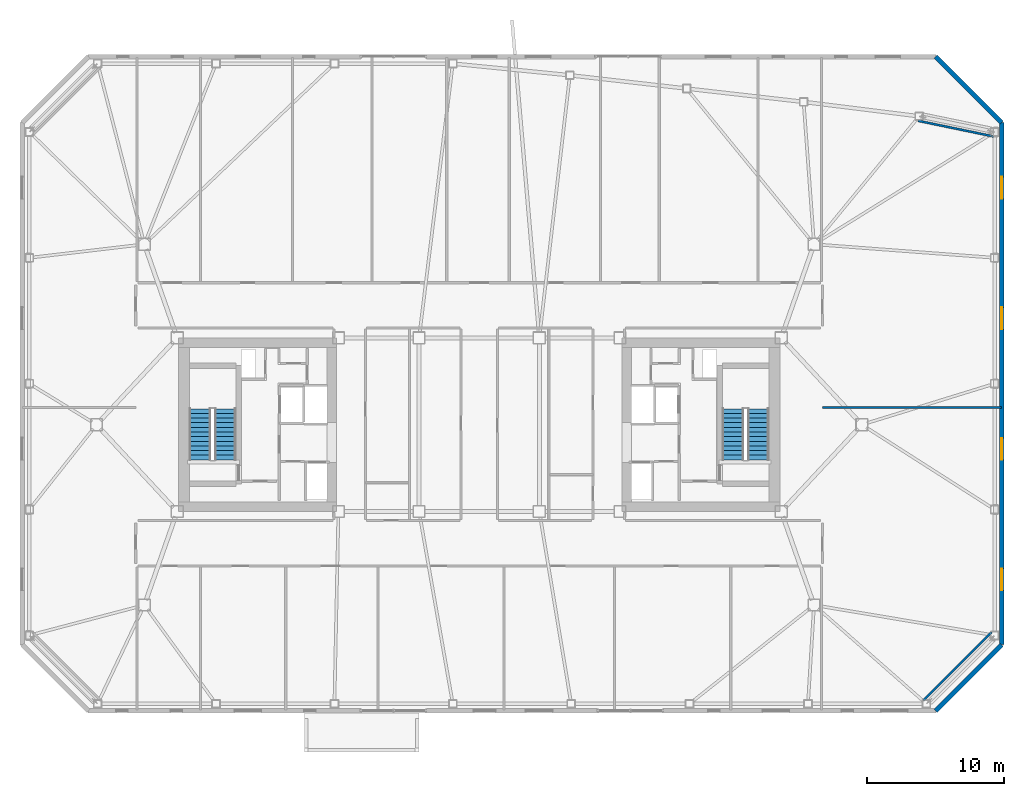
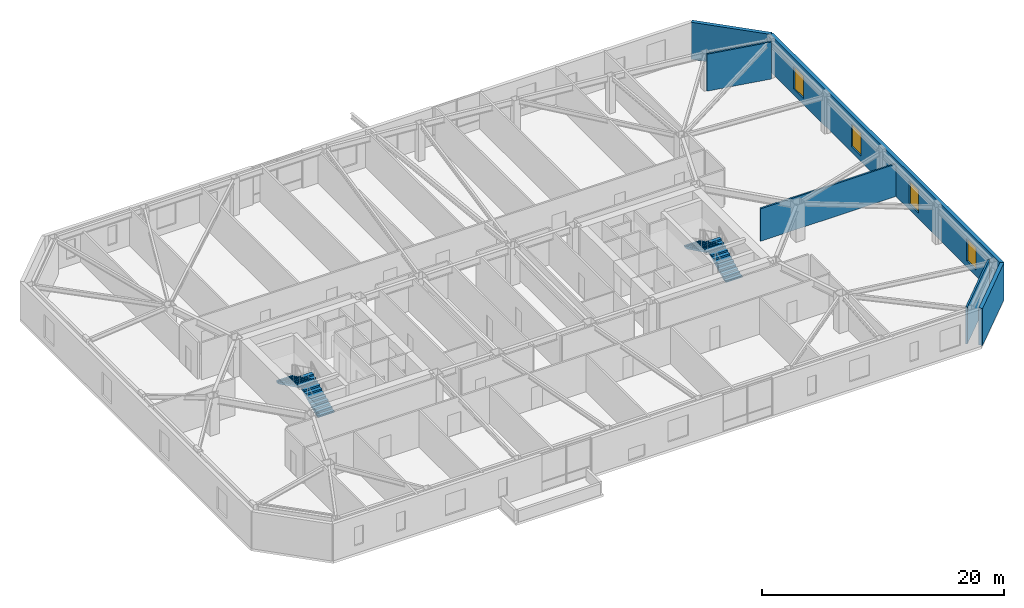
# One storey, part 14 of 18: 6 walls, 4 stair flights, 4 windows, 4 openings, 2 elements without a shape of their own.
"""IFC4 building model written with IfcOpenShell, lengths in metres."""

from ifc_helpers import new_model, si_unit, direction, frame, frame_2d, origin, place, context, subcontext, project, spatial, polyline, rectangle, outline, extrude, material, layer, layer_set, type_object, element, fill, aggregate, save


model = new_model("IFC4")

# Units and contexts
model_context = context("Model", 3, precision=1e-05, world=origin(), true_north=direction((0.0, 1.0)))
body_context = subcontext(model_context, "Body", "Model", "MODEL_VIEW")
ifc_project = project(units=[si_unit("LENGTHUNIT", "METRE"), si_unit("AREAUNIT", "SQUARE_METRE"), si_unit("VOLUMEUNIT", "CUBIC_METRE"), si_unit("PLANEANGLEUNIT", "RADIAN"), si_unit("MASSUNIT", "GRAM", prefix="KILO")], contexts=[model_context])

# Site, building, storey
site_placement = place(None, origin())
site = spatial("IfcSite", under=ifc_project, at=site_placement, CompositionType="ELEMENT")
building_placement = place(site_placement, origin())
building = spatial("IfcBuilding", under=site, at=building_placement, Name="Tavrogorsk Clinical Tower", CompositionType="ELEMENT")
storey_placement = place(building_placement, frame((0.0, 0.0, 168.199951171875)))
storey = spatial("IfcBuildingStorey", under=building, at=storey_placement, Name="L38", CompositionType="ELEMENT", Elevation=168.199951171875)

# Walls
ifc_material_1 = material(Name="Lightweight concrete blockwork B15", Category="masonry")
ifc_layer_1 = layer(ifc_material_1, 0.159912109375)
ifc_layer_set_1 = layer_set([ifc_layer_1], Name="Lightweight concrete blockwork B15")
wall_type_1 = type_object("IfcWallType", Name="PartitionWall_160", PredefinedType="PARTITIONING", material=ifc_layer_set_1)
wall_1_placement = place(storey_placement, frame((32.4794921875, -20.1796875, 0.0), z_axis=(0.0, 0.0, 1.0), x_axis=(0.707106781187, 0.707106781187, 0.0)))
element("IfcWall", 1, at=wall_1_placement, inside=storey, type_object=wall_type_1, Name="L38 Corner Exoskeleton Brace Furring Wall 1", PredefinedType="PARTITIONING", context=body_context, shape_type="SweptSolid", body=[
    extrude(rectangle(XDim=7.071044921875, YDim=0.159912109375, at=frame_2d((3.53564453125, 0.0))), origin(), (0.0, 0.0, 1.0), 3.739990234375),
])
wall_2_placement = place(storey_placement, frame((37.65087890625, 21.0869140625, 0.0), z_axis=(0.0, 0.0, 1.0), x_axis=(-0.979184618318, 0.202971631636, 0.0)))
element("IfcWall", 2, at=wall_2_placement, inside=storey, type_object=wall_type_1, Name="L38 Corner Exoskeleton Brace Furring Wall 2", PredefinedType="PARTITIONING", context=body_context, shape_type="SweptSolid", body=[
    extrude(rectangle(XDim=5.64599609375, YDim=0.159912109375, at=frame_2d((2.822998046875, 0.0))), origin(), (0.0, 0.0, 1.0), 3.739990234375),
])
wall_3_placement = place(storey_placement, frame((25.1298828125, 1.25, 0.0), z_axis=(0.0, 0.0, 1.0), x_axis=(1.0, 0.0, 0.0)))
element("IfcWall", 3, at=wall_3_placement, inside=storey, type_object=wall_type_1, Name="L38 E Wing Divider 1", PredefinedType="PARTITIONING", context=body_context, shape_type="SweptSolid", body=[
    extrude(rectangle(XDim=13.080078125, YDim=0.159912109375, at=frame_2d((6.5400390625, 0.0))), origin(), (0.0, 0.0, 1.0), 3.28515625),
])

# Wall, openings, windows
ifc_material_2 = material(Name="Precast concrete B45 with limestone cladding", Category="masonry")
ifc_layer_2 = layer(ifc_material_2, 0.340087890625)
ifc_layer_set_2 = layer_set([ifc_layer_2], Name="Precast concrete B45 with limestone cladding")
wall_type_2 = type_object("IfcWallType", Name="PrecastLimestoneWall_340", PredefinedType="STANDARD", material=ifc_layer_set_2)
wall_4_placement = place(storey_placement, frame((38.22998046875, -16.10009765625, 0.0), z_axis=(0.0, 0.0, 1.0), x_axis=(0.0, 1.0, 0.0)))
wall_4 = element("IfcWall", 4, at=wall_4_placement, inside=storey, type_object=wall_type_2, Name="L38 E Pleated Limestone Wing Wall", PredefinedType="STANDARD", context=body_context, shape_type="SweptSolid", body=[
    extrude(rectangle(XDim=38.2001953125, YDim=0.340087890625, at=frame_2d((19.10009765625, 0.0))), origin(), (0.0, 0.0, 1.0), 3.739990234375),
])
opening_1_placement = place(wall_4_placement, frame((3.97509765625, 0.0, 0.580078125)))
opening_1 = element("IfcOpeningElement", 5, at=opening_1_placement, cuts=wall_4, Name="Opening WN-07", PredefinedType="OPENING", context=body_context, shape_type="SweptSolid", body=[
    extrude(rectangle(XDim=1.60009765625, YDim=2.300048828125, at=frame_2d((0.800048828125, 1.14990234375))), frame((0.0, 0.179931640625, 0.0), z_axis=(0.0, -1.0, 0.0), x_axis=(1.0, 0.0, 0.0)), (0.0, 0.0, 1.0), 0.360107421875),
])
opening_2_placement = place(wall_4_placement, frame((13.52490234375, 0.0, 0.580078125)))
opening_2 = element("IfcOpeningElement", 6, at=opening_2_placement, cuts=wall_4, Name="Opening WN-07", PredefinedType="OPENING", context=body_context, shape_type="SweptSolid", body=[
    extrude(rectangle(XDim=1.60009765625, YDim=2.300048828125, at=frame_2d((0.800048828125, 1.14990234375))), frame((0.0, 0.179931640625, 0.0), z_axis=(0.0, -1.0, 0.0), x_axis=(1.0, 0.0, 0.0)), (0.0, 0.0, 1.0), 0.360107421875),
])
opening_3_placement = place(wall_4_placement, frame((23.074951171875, 0.0, 0.580078125)))
opening_3 = element("IfcOpeningElement", 7, at=opening_3_placement, cuts=wall_4, Name="Opening WN-07", PredefinedType="OPENING", context=body_context, shape_type="SweptSolid", body=[
    extrude(rectangle(XDim=1.60009765625, YDim=2.300048828125, at=frame_2d((0.800048828125, 1.14990234375))), frame((0.0, 0.179931640625, 0.0), z_axis=(0.0, -1.0, 0.0), x_axis=(1.0, 0.0, 0.0)), (0.0, 0.0, 1.0), 0.360107421875),
])
opening_4_placement = place(wall_4_placement, frame((32.625, 0.0, 0.580078125)))
opening_4 = element("IfcOpeningElement", 8, at=opening_4_placement, cuts=wall_4, Name="Opening WN-07", PredefinedType="OPENING", context=body_context, shape_type="SweptSolid", body=[
    extrude(rectangle(XDim=1.60009765625, YDim=2.300048828125, at=frame_2d((0.800048828125, 1.14990234375))), frame((0.0, 0.179931640625, 0.0), z_axis=(0.0, -1.0, 0.0), x_axis=(1.0, 0.0, 0.0)), (0.0, 0.0, 1.0), 0.360107421875),
])
ifc_material_3 = material(Name="Thermally broken aluminium frame and triple IGU", Category="aluminium")
window_type = type_object("IfcWindowType", Name="PleatSlotWin_1600x2300", PartitioningType="SINGLE_PANEL", PredefinedType="WINDOW", material=ifc_material_3)
window_1_placement = place(opening_1_placement, origin())
window_1 = element("IfcWindow", 9, at=window_1_placement, inside=storey, type_object=window_type, Name="L38 E Pleat Slot Window 1", OverallHeight=2.300048828125, OverallWidth=1.60009765625, PartitioningType="SINGLE_PANEL", PredefinedType="WINDOW", context=body_context, shape_type="SweptSolid", body=[
    extrude(rectangle(XDim=1.60009765625, YDim=2.300048828125, at=frame_2d((0.800048828125, 1.14990234375))), frame((0.0, 0.030029296875, 0.0), z_axis=(0.0, -1.0, 0.0), x_axis=(1.0, 0.0, 0.0)), (0.0, 0.0, 1.0), 0.06005859375),
])
fill(opening_1, window_1)
window_2_placement = place(opening_2_placement, origin())
window_2 = element("IfcWindow", 10, at=window_2_placement, inside=storey, type_object=window_type, Name="L38 E Pleat Slot Window 2", OverallHeight=2.300048828125, OverallWidth=1.60009765625, PartitioningType="SINGLE_PANEL", PredefinedType="WINDOW", context=body_context, shape_type="SweptSolid", body=[
    extrude(rectangle(XDim=1.60009765625, YDim=2.300048828125, at=frame_2d((0.800048828125, 1.14990234375))), frame((0.0, 0.030029296875, 0.0), z_axis=(0.0, -1.0, 0.0), x_axis=(1.0, 0.0, 0.0)), (0.0, 0.0, 1.0), 0.06005859375),
])
fill(opening_2, window_2)
window_3_placement = place(opening_3_placement, origin())
window_3 = element("IfcWindow", 11, at=window_3_placement, inside=storey, type_object=window_type, Name="L38 E Pleat Slot Window 3", OverallHeight=2.300048828125, OverallWidth=1.60009765625, PartitioningType="SINGLE_PANEL", PredefinedType="WINDOW", context=body_context, shape_type="SweptSolid", body=[
    extrude(rectangle(XDim=1.60009765625, YDim=2.300048828125, at=frame_2d((0.800048828125, 1.14990234375))), frame((0.0, 0.030029296875, 0.0), z_axis=(0.0, -1.0, 0.0), x_axis=(1.0, 0.0, 0.0)), (0.0, 0.0, 1.0), 0.06005859375),
])
fill(opening_3, window_3)
window_4_placement = place(opening_4_placement, origin())
window_4 = element("IfcWindow", 12, at=window_4_placement, inside=storey, type_object=window_type, Name="L38 E Pleat Slot Window 4", OverallHeight=2.300048828125, OverallWidth=1.60009765625, PartitioningType="SINGLE_PANEL", PredefinedType="WINDOW", context=body_context, shape_type="SweptSolid", body=[
    extrude(rectangle(XDim=1.60009765625, YDim=2.300048828125, at=frame_2d((0.800048828125, 1.14990234375))), frame((0.0, 0.030029296875, 0.0), z_axis=(0.0, -1.0, 0.0), x_axis=(1.0, 0.0, 0.0)), (0.0, 0.0, 1.0), 0.06005859375),
])
fill(opening_4, window_4)

# Walls
for number, where, z_axis, x_axis, name in (
    (13, (33.39990234375, -20.929931640625, 0.0), (0.0, 0.0, 1.0), (0.707124652085, 0.707088909836, 0.0), "L38 Chamfered Corner Wall 1"),
    (14, (38.22998046875, 22.10009765625, 0.0), (0.0, 0.0, 1.0), (-0.707124652085, 0.707088909836, 0.0), "L38 Chamfered Corner Wall 2"),
):
    element("IfcWall", number, at=place(storey_placement, frame(where, z_axis=z_axis, x_axis=x_axis)), inside=storey, type_object=wall_type_2, Name=name, PredefinedType="STANDARD", context=body_context, shape_type="SweptSolid", body=[
        extrude(rectangle(XDim=6.83056640625, YDim=0.340087890625, at=frame_2d((3.415283203125, 0.0))), origin(), (0.0, 0.0, 1.0), 3.739990234375),
    ])

# Stair, stair flights
ifc_material_4 = material(Name="Concrete B60", Category="concrete")
stair_type = type_object("IfcStairType", Name="CoreStairAssembly", PredefinedType="HALF_TURN_STAIR", material=ifc_material_4)
stair_1_placement = place(storey_placement, origin())
stair_1 = element("IfcStair", 15, at=stair_1_placement, inside=storey, type_object=stair_type, Name="L38 ST-W", PredefinedType="HALF_TURN_STAIR")
ifc_material_5 = material(Name="Concrete B60", Category="concrete")
stair_flight_type = type_object("IfcStairFlightType", Name="CoreStairFlight", PredefinedType="STRAIGHT", material=ifc_material_5)
stair_flight_1_placement = place(storey_placement, frame((-18.574951171875, -2.574951171875, 0.0), z_axis=(0.0, 0.0, 1.0), x_axis=(0.0, 1.0, 0.0)))
stair_flight_1 = element("IfcStairFlight", 16, at=stair_flight_1_placement, type_object=stair_flight_type, Name="ST-W flight 1", NumberOfRisers=12, NumberOfTreads=11, PredefinedType="STRAIGHT", RiserHeight=0.166666667, TreadLength=0.34, context=body_context, shape_type="SweptSolid", body=[
    extrude(outline(polyline([(0.0, 0.0), (0.0, 0.166748046875), (0.340087890625, 0.166748046875), (0.340087890625, 0.333251953125), (0.679931640625, 0.333251953125), (0.679931640625, 0.5), (1.02001953125, 0.5), (1.02001953125, 0.666748046875), (1.360107421875, 0.666748046875), (1.360107421875, 0.833251953125), (1.699951171875, 0.833251953125), (1.699951171875, 1.0), (2.0400390625, 1.0), (2.0400390625, 1.166748046875), (2.3798828125, 1.166748046875), (2.3798828125, 1.333251953125), (2.719970703125, 1.333251953125), (2.719970703125, 1.5), (3.06005859375, 1.5), (3.06005859375, 1.666748046875), (3.39990234375, 1.666748046875), (3.39990234375, 1.833251953125), (3.739990234375, 1.833251953125), (3.739990234375, 2.0), (3.739990234375, 1.66650390625), (0.340576171875, 0.0), (0.0, 0.0)])), frame((0.0, 0.77490234375, 0.0), z_axis=(0.0, -1.0, 0.0), x_axis=(1.0, 0.0, 0.0)), (0.0, 0.0, 1.0), 1.550048828125),
])
stair_flight_2_placement = place(storey_placement, frame((-20.425048828125, 1.1650390625, 2.0), z_axis=(0.0, 0.0, 1.0), x_axis=(0.0, -1.0, 0.0)))
stair_flight_2 = element("IfcStairFlight", 17, at=stair_flight_2_placement, type_object=stair_flight_type, Name="ST-W flight 2", NumberOfRisers=12, NumberOfTreads=11, PredefinedType="STRAIGHT", RiserHeight=0.166666667, TreadLength=0.34, context=body_context, shape_type="SweptSolid", body=[
    extrude(outline(polyline([(0.0, 0.0), (0.0, 0.166748046875), (0.340087890625, 0.166748046875), (0.340087890625, 0.333251953125), (0.679931640625, 0.333251953125), (0.679931640625, 0.5), (1.02001953125, 0.5), (1.02001953125, 0.666748046875), (1.360107421875, 0.666748046875), (1.360107421875, 0.833251953125), (1.699951171875, 0.833251953125), (1.699951171875, 1.0), (2.0400390625, 1.0), (2.0400390625, 1.166748046875), (2.3798828125, 1.166748046875), (2.3798828125, 1.333251953125), (2.719970703125, 1.333251953125), (2.719970703125, 1.5), (3.06005859375, 1.5), (3.06005859375, 1.666748046875), (3.39990234375, 1.666748046875), (3.39990234375, 1.833251953125), (3.739990234375, 1.833251953125), (3.739990234375, 2.0), (3.739990234375, 1.66650390625), (0.340576171875, 0.0), (0.0, 0.0)])), frame((0.0, 0.77490234375, 0.0), z_axis=(0.0, -1.0, 0.0), x_axis=(1.0, 0.0, 0.0)), (0.0, 0.0, 1.0), 1.550048828125),
])
aggregate(stair_1, [stair_flight_1, stair_flight_2])

stair_2_placement = place(storey_placement, origin())
stair_2 = element("IfcStair", 18, at=stair_2_placement, inside=storey, type_object=stair_type, Name="L38 ST-E", PredefinedType="HALF_TURN_STAIR")
stair_flight_3_placement = place(storey_placement, frame((20.425048828125, -2.574951171875, 0.0), z_axis=(0.0, 0.0, 1.0), x_axis=(0.0, 1.0, 0.0)))
stair_flight_3 = element("IfcStairFlight", 19, at=stair_flight_3_placement, type_object=stair_flight_type, Name="ST-E flight 1", NumberOfRisers=12, NumberOfTreads=11, PredefinedType="STRAIGHT", RiserHeight=0.166666667, TreadLength=0.34, context=body_context, shape_type="SweptSolid", body=[
    extrude(outline(polyline([(0.0, 0.0), (0.0, 0.166748046875), (0.340087890625, 0.166748046875), (0.340087890625, 0.333251953125), (0.679931640625, 0.333251953125), (0.679931640625, 0.5), (1.02001953125, 0.5), (1.02001953125, 0.666748046875), (1.360107421875, 0.666748046875), (1.360107421875, 0.833251953125), (1.699951171875, 0.833251953125), (1.699951171875, 1.0), (2.0400390625, 1.0), (2.0400390625, 1.166748046875), (2.3798828125, 1.166748046875), (2.3798828125, 1.333251953125), (2.719970703125, 1.333251953125), (2.719970703125, 1.5), (3.06005859375, 1.5), (3.06005859375, 1.666748046875), (3.39990234375, 1.666748046875), (3.39990234375, 1.833251953125), (3.739990234375, 1.833251953125), (3.739990234375, 2.0), (3.739990234375, 1.66650390625), (0.340576171875, 0.0), (0.0, 0.0)])), frame((0.0, 0.77490234375, 0.0), z_axis=(0.0, -1.0, 0.0), x_axis=(1.0, 0.0, 0.0)), (0.0, 0.0, 1.0), 1.550048828125),
])
stair_flight_4_placement = place(storey_placement, frame((18.574951171875, 1.1650390625, 2.0), z_axis=(0.0, 0.0, 1.0), x_axis=(0.0, -1.0, 0.0)))
stair_flight_4 = element("IfcStairFlight", 20, at=stair_flight_4_placement, type_object=stair_flight_type, Name="ST-E flight 2", NumberOfRisers=12, NumberOfTreads=11, PredefinedType="STRAIGHT", RiserHeight=0.166666667, TreadLength=0.34, context=body_context, shape_type="SweptSolid", body=[
    extrude(outline(polyline([(0.0, 0.0), (0.0, 0.166748046875), (0.340087890625, 0.166748046875), (0.340087890625, 0.333251953125), (0.679931640625, 0.333251953125), (0.679931640625, 0.5), (1.02001953125, 0.5), (1.02001953125, 0.666748046875), (1.360107421875, 0.666748046875), (1.360107421875, 0.833251953125), (1.699951171875, 0.833251953125), (1.699951171875, 1.0), (2.0400390625, 1.0), (2.0400390625, 1.166748046875), (2.3798828125, 1.166748046875), (2.3798828125, 1.333251953125), (2.719970703125, 1.333251953125), (2.719970703125, 1.5), (3.06005859375, 1.5), (3.06005859375, 1.666748046875), (3.39990234375, 1.666748046875), (3.39990234375, 1.833251953125), (3.739990234375, 1.833251953125), (3.739990234375, 2.0), (3.739990234375, 1.66650390625), (0.340576171875, 0.0), (0.0, 0.0)])), frame((0.0, 0.77490234375, 0.0), z_axis=(0.0, -1.0, 0.0), x_axis=(1.0, 0.0, 0.0)), (0.0, 0.0, 1.0), 1.550048828125),
])
aggregate(stair_2, [stair_flight_3, stair_flight_4])

save(model, "model.ifc")
